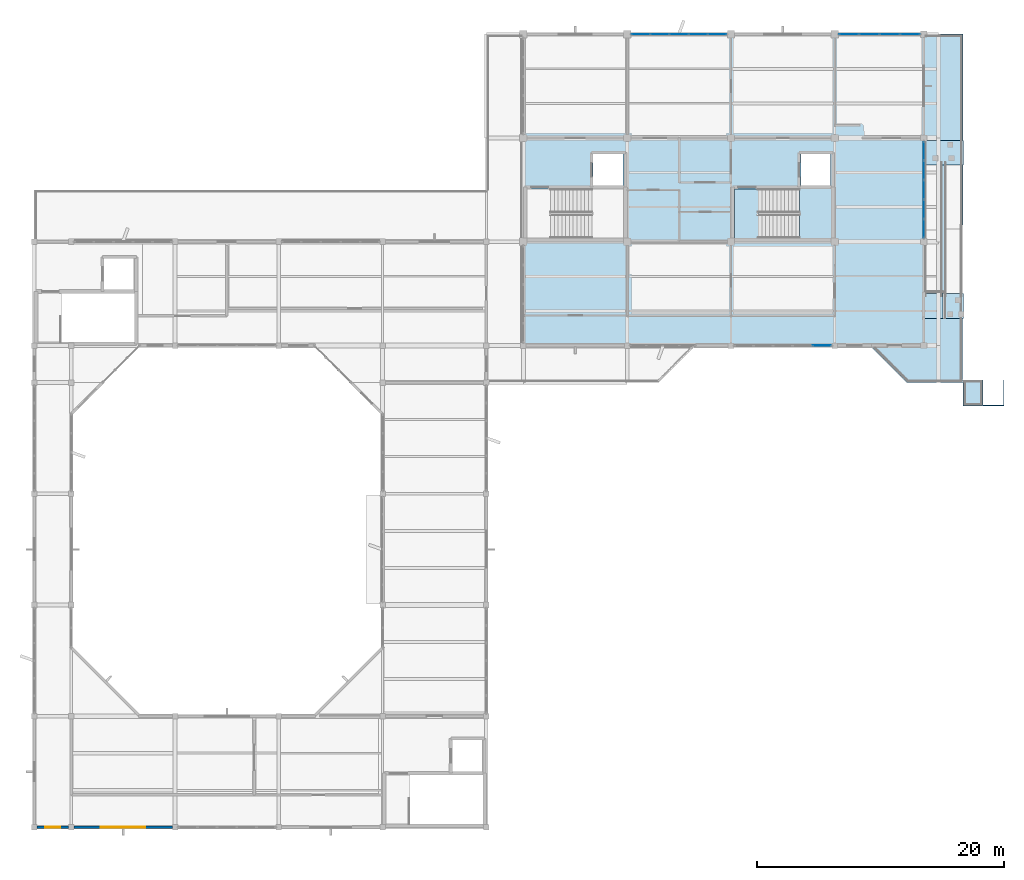
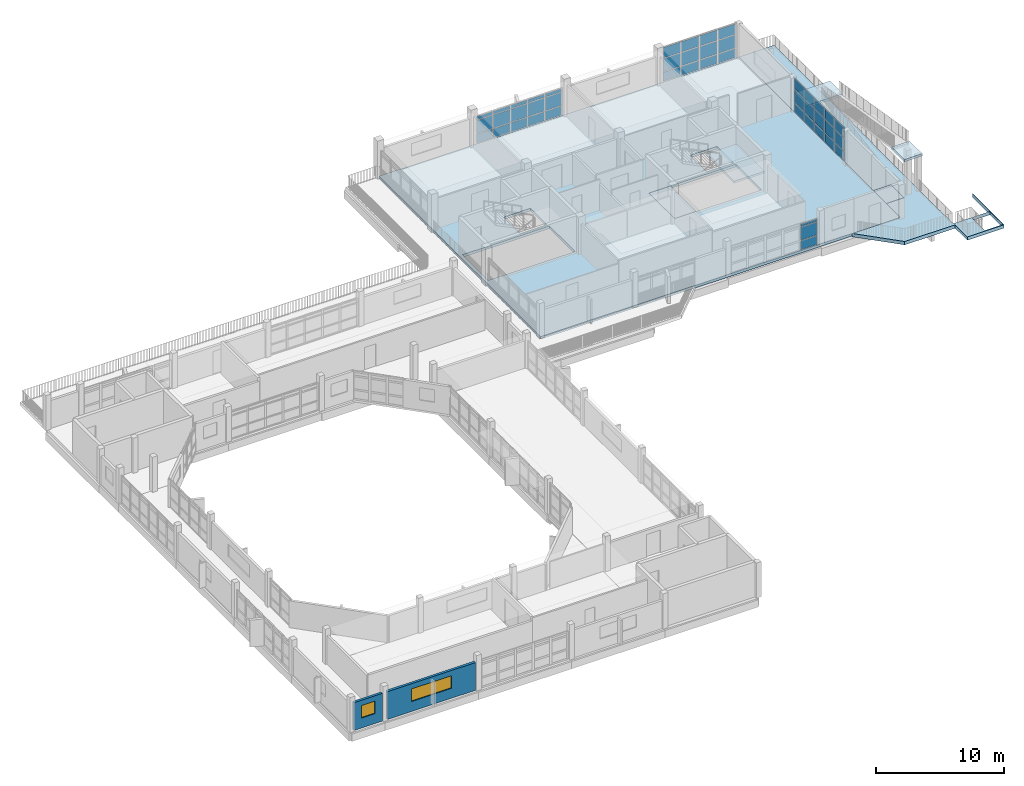
# One storey, part 19 of 33: 45 plates, 7 slabs, 2 walls, 2 windows, 2 openings, 6 elements without a shape of their own.
"""IFC4 building model written with IfcOpenShell, lengths in metres."""

from ifc_helpers import new_model, si_unit, direction, frame, frame_2d, origin, origin_2d, place, context, subcontext, project, spatial, polyline, rectangle, outline, extrude, material, layer, layer_set, type_object, element, fill, aggregate, save


model = new_model("IFC4")

# Units and contexts
model_context = context("Model", 3, precision=1e-05, world=origin(), true_north=direction((0.0, 1.0)))
body_context = subcontext(model_context, "Body", "Model", "MODEL_VIEW")
ifc_project = project(units=[si_unit("LENGTHUNIT", "METRE"), si_unit("AREAUNIT", "SQUARE_METRE"), si_unit("VOLUMEUNIT", "CUBIC_METRE"), si_unit("PLANEANGLEUNIT", "RADIAN"), si_unit("MASSUNIT", "GRAM", prefix="KILO")], contexts=[model_context])

# Site, building, storey
site_placement = place(None, origin())
site = spatial("IfcSite", under=ifc_project, at=site_placement, CompositionType="ELEMENT")
building_placement = place(site_placement, origin())
building = spatial("IfcBuilding", under=site, at=building_placement, Name="Vanh Quang Courtyard School", CompositionType="ELEMENT")
storey_placement = place(building_placement, frame((0.0, 0.0, 18.60009765625)))
storey = spatial("IfcBuildingStorey", under=building, at=storey_placement, Name="L05", CompositionType="ELEMENT", Elevation=18.60009765625)

# Curtain wall, plates
ifc_material_1 = material(Name="Thermally broken aluminium unitised curtain wall", Category="aluminium")
curtain_wall_type_1 = type_object("IfcCurtainWallType", Name="CW-SYS-19", PredefinedType="NOTDEFINED", material=ifc_material_1)
curtain_wall_1_placement = place(storey_placement, origin())
curtain_wall_1 = element("IfcCurtainWall", 1, at=curtain_wall_1_placement, inside=storey, type_object=curtain_wall_type_1, Name="Curtain Wall CW-19 (L05)", PredefinedType="NOTDEFINED")
ifc_material_2 = material(Name="Low-E laminated double glazing", Category="glass")
ifc_layer_1 = layer(ifc_material_2, 0.028076171875)
ifc_layer_set_1 = layer_set([ifc_layer_1], Name="Low-E laminated double glazing")
plate_type_1 = type_object("IfcPlateType", Name="CW-PNL-28", PredefinedType="CURTAIN_PANEL", material=ifc_layer_set_1)
plate_1_placement = place(storey_placement, frame((101.5537109375, 71.39990234375, 0.079833984375), z_axis=(0.0, 0.0, 1.0), x_axis=(-1.0, 0.0, 0.0)))
plate_1 = element("IfcPlate", 2, at=plate_1_placement, type_object=plate_type_1, Name="CW-19 panel 1.1", PredefinedType="CURTAIN_PANEL", context=body_context, shape_type="SweptSolid", body=[
    extrude(rectangle(XDim=1.466796875, YDim=0.028076171875, at=origin_2d()), origin(), (0.0, 0.0, 1.0), 0.830078125),
])
plate_2_placement = place(storey_placement, frame((101.5537109375, 71.39990234375, 0.98974609375), z_axis=(0.0, 0.0, 1.0), x_axis=(-1.0, 0.0, 0.0)))
plate_2 = element("IfcPlate", 3, at=plate_2_placement, type_object=plate_type_1, Name="CW-19 panel 1.2", PredefinedType="CURTAIN_PANEL", context=body_context, shape_type="SweptSolid", body=[
    extrude(rectangle(XDim=1.466796875, YDim=0.028076171875, at=origin_2d()), origin(), (0.0, 0.0, 1.0), 1.219970703125),
])
plate_3_placement = place(storey_placement, frame((101.5537109375, 71.39990234375, 2.2900390625), z_axis=(0.0, 0.0, 1.0), x_axis=(-1.0, 0.0, 0.0)))
plate_3 = element("IfcPlate", 4, at=plate_3_placement, type_object=plate_type_1, Name="CW-19 panel 1.3", PredefinedType="CURTAIN_PANEL", context=body_context, shape_type="SweptSolid", body=[
    extrude(rectangle(XDim=1.466796875, YDim=0.028076171875, at=origin_2d()), origin(), (0.0, 0.0, 1.0), 0.2099609375),
])
aggregate(curtain_wall_1, [plate_1, plate_2, plate_3])

curtain_wall_type_2 = type_object("IfcCurtainWallType", Name="CW-SYS-24", PredefinedType="NOTDEFINED", material=ifc_material_1)
curtain_wall_2_placement = place(storey_placement, origin())
curtain_wall_2 = element("IfcCurtainWall", 5, at=curtain_wall_2_placement, inside=storey, type_object=curtain_wall_type_2, Name="Curtain Wall CW-24 (L05)", PredefinedType="NOTDEFINED")
plate_4_placement = place(storey_placement, frame((86.9013671875, 96.60009765625, 0.06005859375), z_axis=(0.0, 0.0, 1.0), x_axis=(1.0, 0.0, 0.0)))
plate_4 = element("IfcPlate", 6, at=plate_4_placement, type_object=plate_type_1, Name="CW-24 panel 1.1", PredefinedType="CURTAIN_PANEL", context=body_context, shape_type="SweptSolid", body=[
    extrude(rectangle(XDim=1.466796875, YDim=0.028076171875, at=origin_2d()), origin(), (0.0, 0.0, 1.0), 0.860107421875),
])
plate_5_placement = place(storey_placement, frame((86.9013671875, 96.60009765625, 0.97998046875), z_axis=(0.0, 0.0, 1.0), x_axis=(1.0, 0.0, 0.0)))
plate_5 = element("IfcPlate", 7, at=plate_5_placement, type_object=plate_type_1, Name="CW-24 panel 1.2", PredefinedType="CURTAIN_PANEL", context=body_context, shape_type="SweptSolid", body=[
    extrude(rectangle(XDim=1.466796875, YDim=0.028076171875, at=origin_2d()), origin(), (0.0, 0.0, 1.0), 1.239990234375),
])
plate_6_placement = place(storey_placement, frame((86.9013671875, 96.60009765625, 2.27978515625), z_axis=(0.0, 0.0, 1.0), x_axis=(1.0, 0.0, 0.0)))
plate_6 = element("IfcPlate", 8, at=plate_6_placement, type_object=plate_type_1, Name="CW-24 panel 1.3", PredefinedType="CURTAIN_PANEL", context=body_context, shape_type="SweptSolid", body=[
    extrude(rectangle(XDim=1.466796875, YDim=0.028076171875, at=origin_2d()), origin(), (0.0, 0.0, 1.0), 0.31005859375),
])
plate_7_placement = place(storey_placement, frame((88.443115234375, 96.60009765625, 0.06005859375), z_axis=(0.0, 0.0, 1.0), x_axis=(1.0, 0.0, 0.0)))
plate_7 = element("IfcPlate", 9, at=plate_7_placement, type_object=plate_type_1, Name="CW-24 panel 2.1", PredefinedType="CURTAIN_PANEL", context=body_context, shape_type="SweptSolid", body=[
    extrude(rectangle(XDim=1.496826171875, YDim=0.028076171875, at=origin_2d()), origin(), (0.0, 0.0, 1.0), 0.860107421875),
])
plate_8_placement = place(storey_placement, frame((88.443115234375, 96.60009765625, 0.97998046875), z_axis=(0.0, 0.0, 1.0), x_axis=(1.0, 0.0, 0.0)))
plate_8 = element("IfcPlate", 10, at=plate_8_placement, type_object=plate_type_1, Name="CW-24 panel 2.2", PredefinedType="CURTAIN_PANEL", context=body_context, shape_type="SweptSolid", body=[
    extrude(rectangle(XDim=1.496826171875, YDim=0.028076171875, at=origin_2d()), origin(), (0.0, 0.0, 1.0), 1.239990234375),
])
plate_9_placement = place(storey_placement, frame((88.443115234375, 96.60009765625, 2.27978515625), z_axis=(0.0, 0.0, 1.0), x_axis=(1.0, 0.0, 0.0)))
plate_9 = element("IfcPlate", 11, at=plate_9_placement, type_object=plate_type_1, Name="CW-24 panel 2.3", PredefinedType="CURTAIN_PANEL", context=body_context, shape_type="SweptSolid", body=[
    extrude(rectangle(XDim=1.496826171875, YDim=0.028076171875, at=origin_2d()), origin(), (0.0, 0.0, 1.0), 0.31005859375),
])
plate_10_placement = place(storey_placement, frame((90.0, 96.60009765625, 0.06005859375), z_axis=(0.0, 0.0, 1.0), x_axis=(1.0, 0.0, 0.0)))
plate_10 = element("IfcPlate", 12, at=plate_10_placement, type_object=plate_type_1, Name="CW-24 panel 3.1", PredefinedType="CURTAIN_PANEL", context=body_context, shape_type="SweptSolid", body=[
    extrude(rectangle(XDim=1.496826171875, YDim=0.028076171875, at=origin_2d()), origin(), (0.0, 0.0, 1.0), 0.860107421875),
])
plate_11_placement = place(storey_placement, frame((90.0, 96.60009765625, 0.97998046875), z_axis=(0.0, 0.0, 1.0), x_axis=(1.0, 0.0, 0.0)))
plate_11 = element("IfcPlate", 13, at=plate_11_placement, type_object=plate_type_1, Name="CW-24 panel 3.2", PredefinedType="CURTAIN_PANEL", context=body_context, shape_type="SweptSolid", body=[
    extrude(rectangle(XDim=1.496826171875, YDim=0.028076171875, at=origin_2d()), origin(), (0.0, 0.0, 1.0), 1.239990234375),
])
plate_12_placement = place(storey_placement, frame((90.0, 96.60009765625, 2.27978515625), z_axis=(0.0, 0.0, 1.0), x_axis=(1.0, 0.0, 0.0)))
plate_12 = element("IfcPlate", 14, at=plate_12_placement, type_object=plate_type_1, Name="CW-24 panel 3.3", PredefinedType="CURTAIN_PANEL", context=body_context, shape_type="SweptSolid", body=[
    extrude(rectangle(XDim=1.496826171875, YDim=0.028076171875, at=origin_2d()), origin(), (0.0, 0.0, 1.0), 0.31005859375),
])
plate_13_placement = place(storey_placement, frame((91.556884765625, 96.60009765625, 0.06005859375), z_axis=(0.0, 0.0, 1.0), x_axis=(1.0, 0.0, 0.0)))
plate_13 = element("IfcPlate", 15, at=plate_13_placement, type_object=plate_type_1, Name="CW-24 panel 4.1", PredefinedType="CURTAIN_PANEL", context=body_context, shape_type="SweptSolid", body=[
    extrude(rectangle(XDim=1.496826171875, YDim=0.028076171875, at=origin_2d()), origin(), (0.0, 0.0, 1.0), 0.860107421875),
])
plate_14_placement = place(storey_placement, frame((91.556884765625, 96.60009765625, 0.97998046875), z_axis=(0.0, 0.0, 1.0), x_axis=(1.0, 0.0, 0.0)))
plate_14 = element("IfcPlate", 16, at=plate_14_placement, type_object=plate_type_1, Name="CW-24 panel 4.2", PredefinedType="CURTAIN_PANEL", context=body_context, shape_type="SweptSolid", body=[
    extrude(rectangle(XDim=1.496826171875, YDim=0.028076171875, at=origin_2d()), origin(), (0.0, 0.0, 1.0), 1.239990234375),
])
plate_15_placement = place(storey_placement, frame((91.556884765625, 96.60009765625, 2.27978515625), z_axis=(0.0, 0.0, 1.0), x_axis=(1.0, 0.0, 0.0)))
plate_15 = element("IfcPlate", 17, at=plate_15_placement, type_object=plate_type_1, Name="CW-24 panel 4.3", PredefinedType="CURTAIN_PANEL", context=body_context, shape_type="SweptSolid", body=[
    extrude(rectangle(XDim=1.496826171875, YDim=0.028076171875, at=origin_2d()), origin(), (0.0, 0.0, 1.0), 0.31005859375),
])
plate_16_placement = place(storey_placement, frame((93.0986328125, 96.60009765625, 0.06005859375), z_axis=(0.0, 0.0, 1.0), x_axis=(1.0, 0.0, 0.0)))
plate_16 = element("IfcPlate", 18, at=plate_16_placement, type_object=plate_type_1, Name="CW-24 panel 5.1", PredefinedType="CURTAIN_PANEL", context=body_context, shape_type="SweptSolid", body=[
    extrude(rectangle(XDim=1.466796875, YDim=0.028076171875, at=origin_2d()), origin(), (0.0, 0.0, 1.0), 0.860107421875),
])
plate_17_placement = place(storey_placement, frame((93.0986328125, 96.60009765625, 0.97998046875), z_axis=(0.0, 0.0, 1.0), x_axis=(1.0, 0.0, 0.0)))
plate_17 = element("IfcPlate", 19, at=plate_17_placement, type_object=plate_type_1, Name="CW-24 panel 5.2", PredefinedType="CURTAIN_PANEL", context=body_context, shape_type="SweptSolid", body=[
    extrude(rectangle(XDim=1.466796875, YDim=0.028076171875, at=origin_2d()), origin(), (0.0, 0.0, 1.0), 1.239990234375),
])
plate_18_placement = place(storey_placement, frame((93.0986328125, 96.60009765625, 2.27978515625), z_axis=(0.0, 0.0, 1.0), x_axis=(1.0, 0.0, 0.0)))
plate_18 = element("IfcPlate", 20, at=plate_18_placement, type_object=plate_type_1, Name="CW-24 panel 5.3", PredefinedType="CURTAIN_PANEL", context=body_context, shape_type="SweptSolid", body=[
    extrude(rectangle(XDim=1.466796875, YDim=0.028076171875, at=origin_2d()), origin(), (0.0, 0.0, 1.0), 0.31005859375),
])
aggregate(curtain_wall_2, [plate_4, plate_5, plate_6, plate_7, plate_8, plate_9, plate_10, plate_11, plate_12, plate_13, plate_14, plate_15, plate_16, plate_17, plate_18])

curtain_wall_type_3 = type_object("IfcCurtainWallType", Name="CW-SYS-64", PredefinedType="NOTDEFINED", material=ifc_material_1)
curtain_wall_3_placement = place(storey_placement, origin())
curtain_wall_3 = element("IfcCurtainWall", 21, at=curtain_wall_3_placement, inside=storey, type_object=curtain_wall_type_3, Name="Curtain Wall CW-64 (L05)", PredefinedType="NOTDEFINED")
plate_19_placement = place(storey_placement, frame((109.800048828125, 87.133544921875, 0.079833984375), z_axis=(0.0, 0.0, 1.0), x_axis=(0.0, -1.0, 0.0)))
plate_19 = element("IfcPlate", 22, at=plate_19_placement, type_object=plate_type_1, Name="CW-64 panel 1.1", PredefinedType="CURTAIN_PANEL", context=body_context, shape_type="SweptSolid", body=[
    extrude(rectangle(XDim=1.456787109375, YDim=0.028076171875, at=origin_2d()), origin(), (0.0, 0.0, 1.0), 0.830078125),
])
plate_20_placement = place(storey_placement, frame((109.800048828125, 87.133544921875, 0.98974609375), z_axis=(0.0, 0.0, 1.0), x_axis=(0.0, -1.0, 0.0)))
plate_20 = element("IfcPlate", 23, at=plate_20_placement, type_object=plate_type_1, Name="CW-64 panel 1.2", PredefinedType="CURTAIN_PANEL", context=body_context, shape_type="SweptSolid", body=[
    extrude(rectangle(XDim=1.456787109375, YDim=0.028076171875, at=origin_2d()), origin(), (0.0, 0.0, 1.0), 1.219970703125),
])
plate_21_placement = place(storey_placement, frame((109.800048828125, 87.133544921875, 2.289794921875), z_axis=(0.0, 0.0, 1.0), x_axis=(0.0, -1.0, 0.0)))
plate_21 = element("IfcPlate", 24, at=plate_21_placement, type_object=plate_type_1, Name="CW-64 panel 1.3", PredefinedType="CURTAIN_PANEL", context=body_context, shape_type="SweptSolid", body=[
    extrude(rectangle(XDim=1.456787109375, YDim=0.028076171875, at=origin_2d()), origin(), (0.0, 0.0, 1.0), 0.97998046875),
])
plate_22_placement = place(storey_placement, frame((109.800048828125, 85.576904296875, 0.079833984375), z_axis=(0.0, 0.0, 1.0), x_axis=(0.0, -1.0, 0.0)))
plate_22 = element("IfcPlate", 25, at=plate_22_placement, type_object=plate_type_1, Name="CW-64 panel 2.1", PredefinedType="CURTAIN_PANEL", context=body_context, shape_type="SweptSolid", body=[
    extrude(rectangle(XDim=1.496826171875, YDim=0.028076171875, at=origin_2d()), origin(), (0.0, 0.0, 1.0), 0.830078125),
])
plate_23_placement = place(storey_placement, frame((109.800048828125, 85.576904296875, 0.98974609375), z_axis=(0.0, 0.0, 1.0), x_axis=(0.0, -1.0, 0.0)))
plate_23 = element("IfcPlate", 26, at=plate_23_placement, type_object=plate_type_1, Name="CW-64 panel 2.2", PredefinedType="CURTAIN_PANEL", context=body_context, shape_type="SweptSolid", body=[
    extrude(rectangle(XDim=1.496826171875, YDim=0.028076171875, at=origin_2d()), origin(), (0.0, 0.0, 1.0), 1.219970703125),
])
plate_24_placement = place(storey_placement, frame((109.800048828125, 85.576904296875, 2.289794921875), z_axis=(0.0, 0.0, 1.0), x_axis=(0.0, -1.0, 0.0)))
plate_24 = element("IfcPlate", 27, at=plate_24_placement, type_object=plate_type_1, Name="CW-64 panel 2.3", PredefinedType="CURTAIN_PANEL", context=body_context, shape_type="SweptSolid", body=[
    extrude(rectangle(XDim=1.496826171875, YDim=0.028076171875, at=origin_2d()), origin(), (0.0, 0.0, 1.0), 0.97998046875),
])
plate_25_placement = place(storey_placement, frame((109.800048828125, 84.0, 0.079833984375), z_axis=(0.0, 0.0, 1.0), x_axis=(0.0, -1.0, 0.0)))
plate_25 = element("IfcPlate", 28, at=plate_25_placement, type_object=plate_type_1, Name="CW-64 panel 3.1", PredefinedType="CURTAIN_PANEL", context=body_context, shape_type="SweptSolid", body=[
    extrude(rectangle(XDim=1.496826171875, YDim=0.028076171875, at=origin_2d()), origin(), (0.0, 0.0, 1.0), 0.830078125),
])
plate_26_placement = place(storey_placement, frame((109.800048828125, 84.0, 0.98974609375), z_axis=(0.0, 0.0, 1.0), x_axis=(0.0, -1.0, 0.0)))
plate_26 = element("IfcPlate", 29, at=plate_26_placement, type_object=plate_type_1, Name="CW-64 panel 3.2", PredefinedType="CURTAIN_PANEL", context=body_context, shape_type="SweptSolid", body=[
    extrude(rectangle(XDim=1.496826171875, YDim=0.028076171875, at=origin_2d()), origin(), (0.0, 0.0, 1.0), 1.219970703125),
])
plate_27_placement = place(storey_placement, frame((109.800048828125, 84.0, 2.289794921875), z_axis=(0.0, 0.0, 1.0), x_axis=(0.0, -1.0, 0.0)))
plate_27 = element("IfcPlate", 30, at=plate_27_placement, type_object=plate_type_1, Name="CW-64 panel 3.3", PredefinedType="CURTAIN_PANEL", context=body_context, shape_type="SweptSolid", body=[
    extrude(rectangle(XDim=1.496826171875, YDim=0.028076171875, at=origin_2d()), origin(), (0.0, 0.0, 1.0), 0.97998046875),
])
plate_28_placement = place(storey_placement, frame((109.800048828125, 82.423095703125, 0.079833984375), z_axis=(0.0, 0.0, 1.0), x_axis=(0.0, -1.0, 0.0)))
plate_28 = element("IfcPlate", 31, at=plate_28_placement, type_object=plate_type_1, Name="CW-64 panel 4.1", PredefinedType="CURTAIN_PANEL", context=body_context, shape_type="SweptSolid", body=[
    extrude(rectangle(XDim=1.496826171875, YDim=0.028076171875, at=origin_2d()), origin(), (0.0, 0.0, 1.0), 0.830078125),
])
plate_29_placement = place(storey_placement, frame((109.800048828125, 82.423095703125, 0.98974609375), z_axis=(0.0, 0.0, 1.0), x_axis=(0.0, -1.0, 0.0)))
plate_29 = element("IfcPlate", 32, at=plate_29_placement, type_object=plate_type_1, Name="CW-64 panel 4.2", PredefinedType="CURTAIN_PANEL", context=body_context, shape_type="SweptSolid", body=[
    extrude(rectangle(XDim=1.496826171875, YDim=0.028076171875, at=origin_2d()), origin(), (0.0, 0.0, 1.0), 1.219970703125),
])
plate_30_placement = place(storey_placement, frame((109.800048828125, 82.423095703125, 2.289794921875), z_axis=(0.0, 0.0, 1.0), x_axis=(0.0, -1.0, 0.0)))
plate_30 = element("IfcPlate", 33, at=plate_30_placement, type_object=plate_type_1, Name="CW-64 panel 4.3", PredefinedType="CURTAIN_PANEL", context=body_context, shape_type="SweptSolid", body=[
    extrude(rectangle(XDim=1.496826171875, YDim=0.028076171875, at=origin_2d()), origin(), (0.0, 0.0, 1.0), 0.97998046875),
])
plate_31_placement = place(storey_placement, frame((109.800048828125, 80.866455078125, 0.079833984375), z_axis=(0.0, 0.0, 1.0), x_axis=(0.0, -1.0, 0.0)))
plate_31 = element("IfcPlate", 34, at=plate_31_placement, type_object=plate_type_1, Name="CW-64 panel 5.1", PredefinedType="CURTAIN_PANEL", context=body_context, shape_type="SweptSolid", body=[
    extrude(rectangle(XDim=1.456787109375, YDim=0.028076171875, at=origin_2d()), origin(), (0.0, 0.0, 1.0), 0.830078125),
])
plate_32_placement = place(storey_placement, frame((109.800048828125, 80.866455078125, 0.98974609375), z_axis=(0.0, 0.0, 1.0), x_axis=(0.0, -1.0, 0.0)))
plate_32 = element("IfcPlate", 35, at=plate_32_placement, type_object=plate_type_1, Name="CW-64 panel 5.2", PredefinedType="CURTAIN_PANEL", context=body_context, shape_type="SweptSolid", body=[
    extrude(rectangle(XDim=1.456787109375, YDim=0.028076171875, at=origin_2d()), origin(), (0.0, 0.0, 1.0), 1.219970703125),
])
plate_33_placement = place(storey_placement, frame((109.800048828125, 80.866455078125, 2.289794921875), z_axis=(0.0, 0.0, 1.0), x_axis=(0.0, -1.0, 0.0)))
plate_33 = element("IfcPlate", 36, at=plate_33_placement, type_object=plate_type_1, Name="CW-64 panel 5.3", PredefinedType="CURTAIN_PANEL", context=body_context, shape_type="SweptSolid", body=[
    extrude(rectangle(XDim=1.456787109375, YDim=0.028076171875, at=origin_2d()), origin(), (0.0, 0.0, 1.0), 0.97998046875),
])
aggregate(curtain_wall_3, [plate_19, plate_20, plate_21, plate_22, plate_23, plate_24, plate_25, plate_26, plate_27, plate_28, plate_29, plate_30, plate_31, plate_32, plate_33])

curtain_wall_type_4 = type_object("IfcCurtainWallType", Name="CW-SYS-68", PredefinedType="NOTDEFINED", material=ifc_material_1)
curtain_wall_4_placement = place(storey_placement, origin())
curtain_wall_4 = element("IfcCurtainWall", 37, at=curtain_wall_4_placement, inside=storey, type_object=curtain_wall_type_4, Name="Curtain Wall CW-68 (L05)", PredefinedType="NOTDEFINED")
ifc_layer_2 = layer(ifc_material_2, 0.031982421875)
ifc_layer_set_2 = layer_set([ifc_layer_2], Name="Low-E laminated double glazing")
plate_type_2 = type_object("IfcPlateType", Name="CW-PNL-32", PredefinedType="CURTAIN_PANEL", material=ifc_layer_set_2)
plate_34_placement = place(storey_placement, frame((103.754638671875, 96.60009765625, 0.06982421875), z_axis=(0.0, 0.0, 1.0), x_axis=(1.0, 0.0, 0.0)))
plate_34 = element("IfcPlate", 38, at=plate_34_placement, type_object=plate_type_2, Name="CW-68 panel 1.1", PredefinedType="CURTAIN_PANEL", context=body_context, shape_type="SweptSolid", body=[
    extrude(rectangle(XDim=1.553466796875, YDim=0.031982421875, at=origin_2d()), origin(), (0.0, 0.0, 1.0), 0.844970703125),
])
plate_35_placement = place(storey_placement, frame((103.754638671875, 96.60009765625, 0.98486328125), z_axis=(0.0, 0.0, 1.0), x_axis=(1.0, 0.0, 0.0)))
plate_35 = element("IfcPlate", 39, at=plate_35_placement, type_object=plate_type_2, Name="CW-68 panel 1.2", PredefinedType="CURTAIN_PANEL", context=body_context, shape_type="SweptSolid", body=[
    extrude(rectangle(XDim=1.553466796875, YDim=0.031982421875, at=origin_2d()), origin(), (0.0, 0.0, 1.0), 1.22998046875),
])
plate_36_placement = place(storey_placement, frame((103.754638671875, 96.60009765625, 2.284912109375), z_axis=(0.0, 0.0, 1.0), x_axis=(1.0, 0.0, 0.0)))
plate_36 = element("IfcPlate", 40, at=plate_36_placement, type_object=plate_type_2, Name="CW-68 panel 1.3", PredefinedType="CURTAIN_PANEL", context=body_context, shape_type="SweptSolid", body=[
    extrude(rectangle(XDim=1.553466796875, YDim=0.031982421875, at=origin_2d()), origin(), (0.0, 0.0, 1.0), 0.9951171875),
])
plate_37_placement = place(storey_placement, frame((105.395751953125, 96.60009765625, 0.06982421875), z_axis=(0.0, 0.0, 1.0), x_axis=(1.0, 0.0, 0.0)))
plate_37 = element("IfcPlate", 41, at=plate_37_placement, type_object=plate_type_2, Name="CW-68 panel 2.1", PredefinedType="CURTAIN_PANEL", context=body_context, shape_type="SweptSolid", body=[
    extrude(rectangle(XDim=1.58837890625, YDim=0.031982421875, at=origin_2d()), origin(), (0.0, 0.0, 1.0), 0.844970703125),
])
plate_38_placement = place(storey_placement, frame((105.395751953125, 96.60009765625, 0.98486328125), z_axis=(0.0, 0.0, 1.0), x_axis=(1.0, 0.0, 0.0)))
plate_38 = element("IfcPlate", 42, at=plate_38_placement, type_object=plate_type_2, Name="CW-68 panel 2.2", PredefinedType="CURTAIN_PANEL", context=body_context, shape_type="SweptSolid", body=[
    extrude(rectangle(XDim=1.58837890625, YDim=0.031982421875, at=origin_2d()), origin(), (0.0, 0.0, 1.0), 1.22998046875),
])
plate_39_placement = place(storey_placement, frame((105.395751953125, 96.60009765625, 2.284912109375), z_axis=(0.0, 0.0, 1.0), x_axis=(1.0, 0.0, 0.0)))
plate_39 = element("IfcPlate", 43, at=plate_39_placement, type_object=plate_type_2, Name="CW-68 panel 2.3", PredefinedType="CURTAIN_PANEL", context=body_context, shape_type="SweptSolid", body=[
    extrude(rectangle(XDim=1.58837890625, YDim=0.031982421875, at=origin_2d()), origin(), (0.0, 0.0, 1.0), 0.9951171875),
])
plate_40_placement = place(storey_placement, frame((107.05419921875, 96.60009765625, 0.06982421875), z_axis=(0.0, 0.0, 1.0), x_axis=(1.0, 0.0, 0.0)))
plate_40 = element("IfcPlate", 44, at=plate_40_placement, type_object=plate_type_2, Name="CW-68 panel 3.1", PredefinedType="CURTAIN_PANEL", context=body_context, shape_type="SweptSolid", body=[
    extrude(rectangle(XDim=1.58837890625, YDim=0.031982421875, at=origin_2d()), origin(), (0.0, 0.0, 1.0), 0.844970703125),
])
plate_41_placement = place(storey_placement, frame((107.05419921875, 96.60009765625, 0.98486328125), z_axis=(0.0, 0.0, 1.0), x_axis=(1.0, 0.0, 0.0)))
plate_41 = element("IfcPlate", 45, at=plate_41_placement, type_object=plate_type_2, Name="CW-68 panel 3.2", PredefinedType="CURTAIN_PANEL", context=body_context, shape_type="SweptSolid", body=[
    extrude(rectangle(XDim=1.58837890625, YDim=0.031982421875, at=origin_2d()), origin(), (0.0, 0.0, 1.0), 1.22998046875),
])
plate_42_placement = place(storey_placement, frame((107.05419921875, 96.60009765625, 2.284912109375), z_axis=(0.0, 0.0, 1.0), x_axis=(1.0, 0.0, 0.0)))
plate_42 = element("IfcPlate", 46, at=plate_42_placement, type_object=plate_type_2, Name="CW-68 panel 3.3", PredefinedType="CURTAIN_PANEL", context=body_context, shape_type="SweptSolid", body=[
    extrude(rectangle(XDim=1.58837890625, YDim=0.031982421875, at=origin_2d()), origin(), (0.0, 0.0, 1.0), 0.9951171875),
])
plate_43_placement = place(storey_placement, frame((108.6953125, 96.60009765625, 0.06982421875), z_axis=(0.0, 0.0, 1.0), x_axis=(1.0, 0.0, 0.0)))
plate_43 = element("IfcPlate", 47, at=plate_43_placement, type_object=plate_type_2, Name="CW-68 panel 4.1", PredefinedType="CURTAIN_PANEL", context=body_context, shape_type="SweptSolid", body=[
    extrude(rectangle(XDim=1.553466796875, YDim=0.031982421875, at=origin_2d()), origin(), (0.0, 0.0, 1.0), 0.844970703125),
])
plate_44_placement = place(storey_placement, frame((108.6953125, 96.60009765625, 0.98486328125), z_axis=(0.0, 0.0, 1.0), x_axis=(1.0, 0.0, 0.0)))
plate_44 = element("IfcPlate", 48, at=plate_44_placement, type_object=plate_type_2, Name="CW-68 panel 4.2", PredefinedType="CURTAIN_PANEL", context=body_context, shape_type="SweptSolid", body=[
    extrude(rectangle(XDim=1.553466796875, YDim=0.031982421875, at=origin_2d()), origin(), (0.0, 0.0, 1.0), 1.22998046875),
])
plate_45_placement = place(storey_placement, frame((108.6953125, 96.60009765625, 2.284912109375), z_axis=(0.0, 0.0, 1.0), x_axis=(1.0, 0.0, 0.0)))
plate_45 = element("IfcPlate", 49, at=plate_45_placement, type_object=plate_type_2, Name="CW-68 panel 4.3", PredefinedType="CURTAIN_PANEL", context=body_context, shape_type="SweptSolid", body=[
    extrude(rectangle(XDim=1.553466796875, YDim=0.031982421875, at=origin_2d()), origin(), (0.0, 0.0, 1.0), 0.9951171875),
])
aggregate(curtain_wall_4, [plate_34, plate_35, plate_36, plate_37, plate_38, plate_39, plate_40, plate_41, plate_42, plate_43, plate_44, plate_45])

# Slabs
ifc_material_3 = material(Name="Concrete C30/37", Category="concrete")
ifc_layer_3 = layer(ifc_material_3, 0.25)
ifc_layer_set_3 = layer_set([ifc_layer_3], Name="Concrete C30/37")
slab_type_1 = type_object("IfcSlabType", Name="SLB-FLR-250", PredefinedType="FLOOR", material=ifc_layer_set_3)
slab_1_placement = place(storey_placement, frame((0.0, 0.0, -0.25)))
element("IfcSlab", 50, at=slab_1_placement, inside=storey, type_object=slab_type_1, Name="Slab SF-04 (L05)", PredefinedType="FLOOR", context=body_context, shape_type="SweptSolid", body=[
    extrude(outline(polyline([(77.39990234375, 96.60009765625), (77.39990234375, 71.39990234375), (109.800048828125, 71.39990234375), (109.800048828125, 73.5849609375), (109.789306640625, 73.58935546875), (109.784912109375, 73.60009765625), (109.784912109375, 75.60009765625), (109.789306640625, 75.610595703125), (109.800048828125, 75.614990234375), (109.800048828125, 96.60009765625), (77.39990234375, 96.60009765625)]), holes=[polyline([(85.52001953125, 84.080078125), (85.52001953125, 80.080078125), (77.679931640625, 80.080078125), (77.679931640625, 84.080078125), (85.52001953125, 84.080078125)]), polyline([(85.449951171875, 86.909912109375), (85.449951171875, 84.360107421875), (83.050048828125, 84.360107421875), (83.050048828125, 86.909912109375), (85.449951171875, 86.909912109375)]), polyline([(102.320068359375, 84.080078125), (102.320068359375, 80.080078125), (94.47998046875, 80.080078125), (94.47998046875, 84.080078125), (102.320068359375, 84.080078125)]), polyline([(102.25, 86.909912109375), (102.25, 84.360107421875), (99.85009765625, 84.360107421875), (99.85009765625, 86.909912109375), (102.25, 86.909912109375)])]), origin(), (0.0, 0.0, 1.0), 0.25),
])
ifc_layer_4 = layer(ifc_material_3, 0.280029296875)
ifc_layer_set_4 = layer_set([ifc_layer_4], Name="Concrete C30/37")
slab_type_2 = type_object("IfcSlabType", Name="SLB-FLR-280", PredefinedType="FLOOR", material=ifc_layer_set_4)
slab_2_placement = place(storey_placement, frame((0.0, 0.0, -0.280029296875)))
element("IfcSlab", 51, at=slab_2_placement, inside=storey, type_object=slab_type_2, Name="Slab SF-02 (L05)", PredefinedType="FLOOR", context=body_context, shape_type="SweptSolid", body=[
    extrude(outline(polyline([(96.429931640625, 80.080078125), (94.47998046875, 80.080078125), (94.47998046875, 84.080078125), (96.429931640625, 84.080078125), (96.429931640625, 80.080078125)])), origin(), (0.0, 0.0, 1.0), 0.280029296875),
])

# Stair, slab
stair_type = type_object("IfcStairType", Name="STR-CORE-1920", PredefinedType="HALF_TURN_STAIR", material=ifc_material_3)
stair_placement = place(storey_placement, origin())
stair = element("IfcStair", 52, at=stair_placement, inside=storey, type_object=stair_type, Name="L05 ST-02", PredefinedType="HALF_TURN_STAIR")
ifc_layer_5 = layer(ifc_material_3, 0.199951171875)
ifc_layer_set_5 = layer_set([ifc_layer_5], Name="Concrete C30/37")
slab_type_3 = type_object("IfcSlabType", Name="SLB-LND-200", PredefinedType="LANDING", material=ifc_layer_set_5)
slab_3_placement = place(storey_placement, frame((0.0, 0.0, 1.599853515625)))
slab_3 = element("IfcSlab", 53, at=slab_3_placement, type_object=slab_type_3, Name="ST-02 landing 1", PredefinedType="LANDING", context=body_context, shape_type="SweptSolid", body=[
    extrude(outline(polyline([(99.7548828125, 79.919921875), (102.47998046875, 79.919921875), (102.47998046875, 84.239990234375), (99.7548828125, 84.239990234375), (99.7548828125, 79.919921875)])), origin(), (0.0, 0.0, 1.0), 0.199951171875),
])
aggregate(stair, [slab_3])

# Slab
ifc_material_4 = material(Name="Concrete C35/45", Category="concrete")
ifc_layer_6 = layer(ifc_material_4, 0.320068359375)
ifc_layer_set_6 = layer_set([ifc_layer_6], Name="Concrete C35/45")
slab_type_4 = type_object("IfcSlabType", Name="SLB-PDK-320", PredefinedType="FLOOR", material=ifc_layer_set_6)
slab_4_placement = place(storey_placement, frame((0.0, 0.0, -0.320068359375)))
element("IfcSlab", 54, at=slab_4_placement, inside=storey, type_object=slab_type_4, Name="Slab SP-01 (L05)", PredefinedType="FLOOR", context=body_context, shape_type="SweptSolid", body=[
    extrude(outline(polyline([(108.4560546875, 68.39990234375), (113.0, 68.39990234375), (113.0, 66.5), (116.300048828125, 66.5), (116.300048828125, 71.39990234375), (116.280029296875, 71.39990234375), (116.280029296875, 68.6201171875), (112.949951171875, 68.6201171875), (112.949951171875, 81.14990234375), (113.0, 81.14990234375), (113.0, 96.60009765625), (109.800048828125, 96.60009765625), (109.800048828125, 75.614990234375), (111.3798828125, 75.614990234375), (111.3916015625, 75.609619140625), (111.39501953125, 75.60009765625), (111.394287109375, 73.595703125), (111.389404296875, 73.58837890625), (111.3798828125, 73.5849609375), (109.800048828125, 73.5849609375), (109.800048828125, 71.39990234375), (105.4560546875, 71.39990234375), (108.4560546875, 68.39990234375)]), holes=[polyline([(114.609375, 66.58935546875), (114.60498046875, 66.60009765625), (114.60498046875, 68.60009765625), (114.6083984375, 68.609619140625), (114.6201171875, 68.614990234375), (116.239990234375, 68.614990234375), (116.24951171875, 68.611572265625), (116.2548828125, 68.60009765625), (116.2548828125, 66.60009765625), (116.251708984375, 66.590576171875), (116.239990234375, 66.5849609375), (114.6201171875, 66.5849609375), (114.609375, 66.58935546875)])]), origin(), (0.0, 0.0, 1.0), 0.320068359375),
])

# Ramp, slabs
ramp_type = type_object("IfcRampType", Name="RAMP-ACC-1400", PredefinedType="TWO_STRAIGHT_RUN_RAMP", material=ifc_material_3)
ramp_placement = place(storey_placement, origin())
ramp = element("IfcRamp", 55, at=ramp_placement, inside=storey, type_object=ramp_type, Name="Ramp RMP-06 (L05)", PredefinedType="TWO_STRAIGHT_RUN_RAMP")
ifc_layer_7 = layer(ifc_material_3, 0.219970703125)
ifc_layer_set_7 = layer_set([ifc_layer_7], Name="Concrete C30/37")
slab_type_5 = type_object("IfcSlabType", Name="SLB-RMPLND-220", PredefinedType="LANDING", material=ifc_layer_set_7)
slab_5_placement = place(storey_placement, frame((0.0, 0.0, -0.22021484375)))
slab_5 = element("IfcSlab", 56, at=slab_5_placement, type_object=slab_type_5, Name="Slab SL-RMP (L05)", PredefinedType="LANDING", context=body_context, shape_type="SweptSolid", body=[
    extrude(outline(polyline([(111.3798828125, 73.60009765625), (111.3798828125, 75.60009765625), (109.800048828125, 75.60009765625), (109.800048828125, 73.60009765625), (111.3798828125, 73.60009765625)])), origin(), (0.0, 0.0, 1.0), 0.22021484375),
])
slab_6_placement = place(storey_placement, frame((0.0, 0.0, 1.579833984375)))
slab_6 = element("IfcSlab", 57, at=slab_6_placement, type_object=slab_type_5, Name="Slab SL-RMP (L05)", PredefinedType="LANDING", context=body_context, shape_type="SweptSolid", body=[
    extrude(outline(polyline([(113.0400390625, 86.0), (113.0400390625, 88.0), (109.800048828125, 88.0), (109.800048828125, 86.0), (113.0400390625, 86.0)])), origin(), (0.0, 0.0, 1.0), 0.219970703125),
])
slab_7_placement = place(storey_placement, frame((0.0, 0.0, 3.3798828125)))
slab_7 = element("IfcSlab", 58, at=slab_7_placement, type_object=slab_type_5, Name="Slab SL-RMP (L05)", PredefinedType="LANDING", context=body_context, shape_type="SweptSolid", body=[
    extrude(outline(polyline([(113.0400390625, 73.60009765625), (113.0400390625, 75.60009765625), (111.419921875, 75.60009765625), (111.419921875, 73.60009765625), (113.0400390625, 73.60009765625)])), origin(), (0.0, 0.0, 1.0), 0.219970703125),
])
aggregate(ramp, [slab_5, slab_6, slab_7])

# Wall, opening, window
ifc_layer_8 = layer(ifc_material_3, 0.219970703125)
ifc_layer_set_8 = layer_set([ifc_layer_8], Name="Concrete C30/37")
wall_type = type_object("IfcWallType", Name="W-EXT-220", PredefinedType="SOLIDWALL", material=ifc_layer_set_8)
wall_1_placement = place(storey_placement, frame((48.97705078125, 32.39990234375, 0.0), z_axis=(0.0, 0.0, 1.0), x_axis=(-1.0, 0.0, 0.0)))
wall_1 = element("IfcWall", 59, at=wall_1_placement, inside=storey, type_object=wall_type, Name="Wall WE-04 (L05)", PredefinedType="SOLIDWALL", context=body_context, shape_type="SweptSolid", body=[
    extrude(rectangle(XDim=7.9541015625, YDim=0.219970703125, at=frame_2d((3.97705078125, 0.0))), origin(), (0.0, 0.0, 1.0), 2.64990234375),
])
opening_1_placement = place(wall_1_placement, frame((2.177001953125, 0.0, 0.949951171875)))
opening_1 = element("IfcOpeningElement", 60, at=opening_1_placement, cuts=wall_1, Name="Opening WN-09", PredefinedType="OPENING", context=body_context, shape_type="SweptSolid", body=[
    extrude(rectangle(XDim=3.60009765625, YDim=1.199951171875, at=frame_2d((1.800048828125, 0.60009765625))), frame((0.0, 0.1201171875, 0.0), z_axis=(0.0, -1.0, 0.0), x_axis=(1.0, 0.0, 0.0)), (0.0, 0.0, 1.0), 0.239990234375),
])
ifc_material_5 = material(Name="Anodised aluminium and low-E double glazing", Category="aluminium")
window_type_1 = type_object("IfcWindowType", Name="WIN-TYP-09", PartitioningType="SINGLE_PANEL", PredefinedType="WINDOW", material=ifc_material_5)
window_1_placement = place(opening_1_placement, origin())
window_1 = element("IfcWindow", 61, at=window_1_placement, inside=storey, type_object=window_type_1, Name="Window WN-09 (L05)", OverallHeight=1.199951171875, OverallWidth=3.60009765625, PartitioningType="SINGLE_PANEL", PredefinedType="WINDOW", context=body_context, shape_type="SweptSolid", body=[
    extrude(rectangle(XDim=3.60009765625, YDim=1.199951171875, at=frame_2d((1.800048828125, 0.60009765625))), frame((0.0, 0.030029296875, 0.0), z_axis=(0.0, -1.0, 0.0), x_axis=(1.0, 0.0, 0.0)), (0.0, 0.0, 1.0), 0.06005859375),
])
fill(opening_1, window_1)

wall_2_placement = place(storey_placement, frame((40.576904296875, 32.39990234375, 0.0), z_axis=(0.0, 0.0, 1.0), x_axis=(-1.0, 0.0, 0.0)))
wall_2 = element("IfcWall", 62, at=wall_2_placement, inside=storey, type_object=wall_type, Name="Wall WE-04 (L05)", PredefinedType="SOLIDWALL", context=body_context, shape_type="SweptSolid", body=[
    extrude(rectangle(XDim=2.553955078125, YDim=0.219970703125, at=frame_2d((1.27685546875, 0.0))), origin(), (0.0, 0.0, 1.0), 2.64990234375),
])
opening_2_placement = place(wall_2_placement, frame((0.677001953125, 0.0, 0.949951171875)))
opening_2 = element("IfcOpeningElement", 63, at=opening_2_placement, cuts=wall_2, Name="Opening WN-01", PredefinedType="OPENING", context=body_context, shape_type="SweptSolid", body=[
    extrude(rectangle(XDim=1.199951171875, YDim=1.199951171875, at=frame_2d((0.60009765625, 0.60009765625))), frame((0.0, 0.1201171875, 0.0), z_axis=(0.0, -1.0, 0.0), x_axis=(1.0, 0.0, 0.0)), (0.0, 0.0, 1.0), 0.239990234375),
])
window_type_2 = type_object("IfcWindowType", Name="WIN-TYP-01", PartitioningType="SINGLE_PANEL", PredefinedType="WINDOW", material=ifc_material_5)
window_2_placement = place(opening_2_placement, origin())
window_2 = element("IfcWindow", 64, at=window_2_placement, inside=storey, type_object=window_type_2, Name="Window WN-01 (L05)", OverallHeight=1.199951171875, OverallWidth=1.199951171875, PartitioningType="SINGLE_PANEL", PredefinedType="WINDOW", context=body_context, shape_type="SweptSolid", body=[
    extrude(rectangle(XDim=1.199951171875, YDim=1.199951171875, at=frame_2d((0.60009765625, 0.60009765625))), frame((0.0, 0.030029296875, 0.0), z_axis=(0.0, -1.0, 0.0), x_axis=(1.0, 0.0, 0.0)), (0.0, 0.0, 1.0), 0.06005859375),
])
fill(opening_2, window_2)

save(model, "model.ifc")
